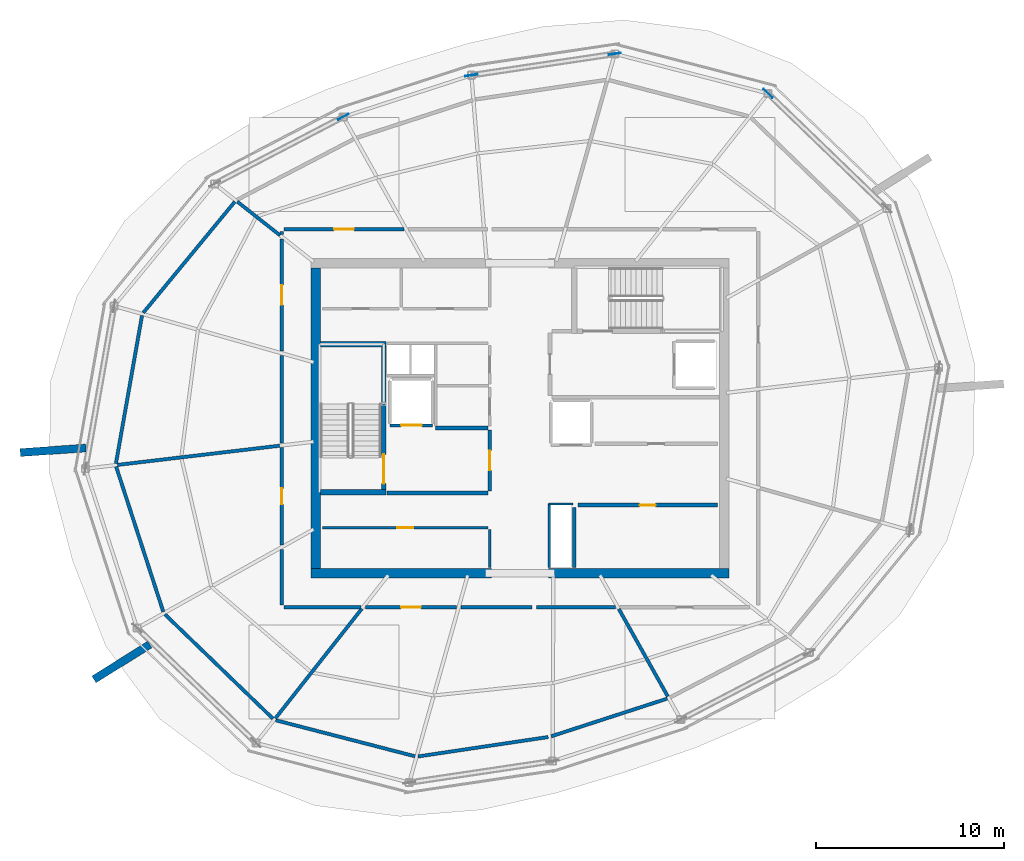
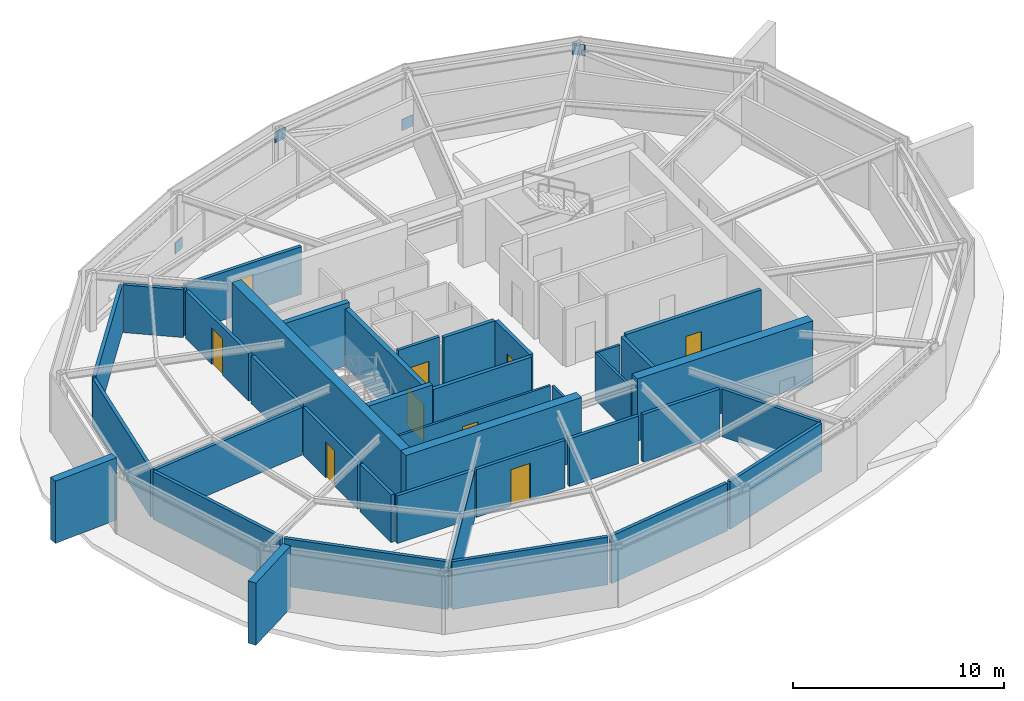
# One storey, part 7 of 10: 39 walls, 9 doors, 4 plates, 9 openings.
"""IFC4 building model written with IfcOpenShell, lengths in metres."""

from ifc_helpers import new_model, si_unit, direction, frame, frame_2d, origin, origin_2d, place, context, subcontext, project, spatial, rectangle, extrude, material, layer, layer_set, type_object, element, fill, save


model = new_model("IFC4")

# Units and contexts
model_context = context("Model", 3, precision=1e-05, world=origin(), true_north=direction((0.0, 1.0)))
body_context = subcontext(model_context, "Body", "Model", "MODEL_VIEW")
ifc_project = project(units=[si_unit("LENGTHUNIT", "METRE"), si_unit("AREAUNIT", "SQUARE_METRE"), si_unit("VOLUMEUNIT", "CUBIC_METRE"), si_unit("PLANEANGLEUNIT", "RADIAN"), si_unit("MASSUNIT", "GRAM", prefix="KILO")], contexts=[model_context])

# Site, building, storey
site_placement = place(None, origin())
site = spatial("IfcSite", under=ifc_project, at=site_placement, CompositionType="ELEMENT")
building_placement = place(site_placement, origin())
building = spatial("IfcBuilding", under=site, at=building_placement, Name="Kazma Halo Residences", CompositionType="ELEMENT")
storey_placement = place(building_placement, frame((0.0, 0.0, 366.800048828125)))
storey = spatial("IfcBuildingStorey", under=building, at=storey_placement, Name="L92", CompositionType="ELEMENT", Elevation=366.800048828125)

# Plates
ifc_material_1 = material(Name="Steel S355", Category="steel")
ifc_layer_1 = layer(ifc_material_1, 0.0400390625)
ifc_layer_set_1 = layer_set([ifc_layer_1], Name="Steel S355")
plate_type = type_object("IfcPlateType", Name="PLT-GUSSET-40", PredefinedType="SHEET", material=ifc_layer_set_1)
for number, where, z_axis, x_axis, name in (
    (1, (61.617431640625, 59.273681640625, 2.614990234375), (0.0, 0.0, 1.0), (-0.719342064482, 0.694656025863, 0.0), "L92 crown brace upper gusset 01"),
    (2, (53.46630859375, 61.38232421875, -0.044921875), (0.0, 0.0, 1.0), (-0.98903421845, -0.147686542161, 0.0), "L92 crown brace lower gusset 03"),
    (3, (45.8408203125, 60.24365234375, 2.614990234375), (0.0, 0.0, 1.0), (-0.98903421845, -0.147686542161, 0.0), "L92 crown brace upper gusset 03"),
    (4, (39.0234375, 58.02880859375, -0.044921875), (0.0, 0.0, 1.0), (-0.886949727325, -0.461865977529, 0.0), "L92 crown brace lower gusset 05"),
):
    element("IfcPlate", number, at=place(storey_placement, frame(where, z_axis=z_axis, x_axis=x_axis)), inside=storey, type_object=plate_type, Name=name, PredefinedType="SHEET", context=body_context, shape_type="SweptSolid", body=[
        extrude(rectangle(XDim=0.64990234375, YDim=0.0400390625, at=origin_2d()), origin(), (0.0, 0.0, 1.0), 0.64990234375),
    ])

# Walls
ifc_material_2 = material(Name="Pale Concrete C60/75", Category="concrete")
ifc_layer_2 = layer(ifc_material_2, 0.419921875)
ifc_layer_set_2 = layer_set([ifc_layer_2], Name="Pale Concrete C60/75")
wall_type_1 = type_object("IfcWallType", Name="WL-BLADE-420", PredefinedType="SOLIDWALL", material=ifc_layer_set_2)
for number, where, z_axis, x_axis, name in (
    (5, (25.333984375, 40.4150390625, 0.0), (0.0, 0.0, 1.0), (-0.997564163539, -0.069754853754, 0.0), "L92 pale concrete structural blade fin wall BW-02"),
    (6, (28.731201171875, 29.95947265625, 0.0), (0.0, 0.0, 1.0), (-0.848033572426, -0.529942506352, 0.0), "L92 pale concrete structural blade fin wall BW-03"),
):
    element("IfcWall", number, at=place(storey_placement, frame(where, z_axis=z_axis, x_axis=x_axis)), inside=storey, type_object=wall_type_1, Name=name, PredefinedType="SOLIDWALL", context=body_context, shape_type="SweptSolid", body=[
        extrude(rectangle(XDim=3.5, YDim=0.419921875, at=frame_2d((1.75, 0.0))), origin(), (0.0, 0.0, 1.0), 3.599853515625),
    ])
ifc_material_3 = material(Name="Concrete C60/75", Category="concrete")
ifc_layer_3 = layer(ifc_material_3, 0.5)
ifc_layer_set_3 = layer_set([ifc_layer_3], Name="Concrete C60/75")
wall_type_2 = type_object("IfcWallType", Name="WL-CORE-500", PredefinedType="SHEAR", material=ifc_layer_set_3)
wall_1_placement = place(storey_placement, frame((37.300048828125, 33.75, 0.0), z_axis=(0.0, 0.0, 1.0), x_axis=(1.0, 0.0, 0.0)))
element("IfcWall", 7, at=wall_1_placement, inside=storey, type_object=wall_type_2, Name="L92 central core shear wall SW", PredefinedType="SHEAR", context=body_context, shape_type="SweptSolid", body=[
    extrude(rectangle(XDim=9.599853515625, YDim=0.5, at=frame_2d((4.7998046875, 0.0))), origin(), (0.0, 0.0, 1.0), 3.599853515625),
])
wall_2_placement = place(storey_placement, frame((49.949951171875, 33.75, 0.0), z_axis=(0.0, 0.0, 1.0), x_axis=(1.0, 0.0, 0.0)))
element("IfcWall", 8, at=wall_2_placement, inside=storey, type_object=wall_type_2, Name="L92 central core shear wall SE", PredefinedType="SHEAR", context=body_context, shape_type="SweptSolid", body=[
    extrude(rectangle(XDim=9.60009765625, YDim=0.5, at=frame_2d((4.800048828125, 0.0))), origin(), (0.0, 0.0, 1.0), 3.599853515625),
])
wall_3_placement = place(storey_placement, frame((37.550048828125, 34.0, 0.0), z_axis=(0.0, 0.0, 1.0), x_axis=(0.0, 1.0, 0.0)))
element("IfcWall", 9, at=wall_3_placement, inside=storey, type_object=wall_type_2, Name="L92 central core shear wall W", PredefinedType="SHEAR", context=body_context, shape_type="SweptSolid", body=[
    extrude(rectangle(XDim=16.0, YDim=0.5, at=frame_2d((8.0, 0.0))), origin(), (0.0, 0.0, 1.0), 3.599853515625),
])
ifc_layer_4 = layer(ifc_material_3, 0.280029296875)
ifc_layer_set_4 = layer_set([ifc_layer_4], Name="Concrete C60/75")
wall_type_3 = type_object("IfcWallType", Name="WL-CORE-ST-280", PredefinedType="SHEAR", material=ifc_layer_set_4)
for number, where, z_axis, x_axis, name in (
    (10, (37.800048828125, 38.06005859375, 0.0), (0.0, 0.0, 1.0), (1.0, 0.0, 0.0), "L92 stairwell bearing wall ST01-S"),
    (11, (37.800048828125, 45.93994140625, 0.0), (0.0, 0.0, 1.0), (1.0, 0.0, 0.0), "L92 stairwell bearing wall ST01-N"),
):
    element("IfcWall", number, at=place(storey_placement, frame(where, z_axis=z_axis, x_axis=x_axis)), inside=storey, type_object=wall_type_3, Name=name, PredefinedType="SHEAR", context=body_context, shape_type="SweptSolid", body=[
        extrude(rectangle(XDim=3.5, YDim=0.280029296875, at=frame_2d((1.75, 0.0))), origin(), (0.0, 0.0, 1.0), 3.599853515625),
    ])
ifc_material_4 = material(Name="Acoustic Twin-Stud Gypsum")
ifc_layer_5 = layer(ifc_material_4, 0.179931640625)
ifc_layer_set_5 = layer_set([ifc_layer_5], Name="Acoustic Twin-Stud Gypsum")
wall_type_4 = type_object("IfcWallType", Name="WL-DEM-180", PredefinedType="PARTITIONING", material=ifc_layer_set_5)
wall_4_placement = place(storey_placement, frame((33.257568359375, 53.520263671875, 0.0), z_axis=(0.0, 0.0, 1.0), x_axis=(-0.636018833443, -0.771673534278, 0.0)))
element("IfcWall", 12, at=wall_4_placement, inside=storey, type_object=wall_type_4, Name="L92 crown plant perimeter wall 05", PredefinedType="PARTITIONING", context=body_context, shape_type="SweptSolid", body=[
    extrude(rectangle(XDim=7.661376953125, YDim=0.179931640625, at=frame_2d((3.83056640625, 0.0))), origin(), (0.0, 0.0, 1.0), 2.760009765625),
])
wall_5_placement = place(storey_placement, frame((28.320068359375, 47.467529296875, 0.0), z_axis=(0.0, 0.0, 1.0), x_axis=(-0.173668776466, -0.984804120666, 0.0)))
element("IfcWall", 13, at=wall_5_placement, inside=storey, type_object=wall_type_4, Name="L92 crown plant perimeter wall 06", PredefinedType="PARTITIONING", context=body_context, shape_type="SweptSolid", body=[
    extrude(rectangle(XDim=8.005859375, YDim=0.179931640625, at=frame_2d((4.0029296875, 0.0))), origin(), (0.0, 0.0, 1.0), 2.760009765625),
])
wall_6_placement = place(storey_placement, frame((26.940673828125, 39.428466796875, 0.0), z_axis=(0.0, 0.0, 1.0), x_axis=(0.309024234991, -0.951054163646, 0.0)))
element("IfcWall", 14, at=wall_6_placement, inside=storey, type_object=wall_type_4, Name="L92 crown plant perimeter wall 07", PredefinedType="PARTITIONING", context=body_context, shape_type="SweptSolid", body=[
    extrude(rectangle(XDim=8.1240234375, YDim=0.179931640625, at=frame_2d((4.06201171875, 0.0))), origin(), (0.0, 0.0, 1.0), 2.760009765625),
])
wall_7_placement = place(storey_placement, frame((29.533203125, 31.5703125, 0.0), z_axis=(0.0, 0.0, 1.0), x_axis=(0.719364153135, -0.694633151516, 0.0)))
element("IfcWall", 15, at=wall_7_placement, inside=storey, type_object=wall_type_4, Name="L92 crown plant perimeter wall 08", PredefinedType="PARTITIONING", context=body_context, shape_type="SweptSolid", body=[
    extrude(rectangle(XDim=8.006103515625, YDim=0.179931640625, at=frame_2d((4.0029296875, 0.0))), origin(), (0.0, 0.0, 1.0), 2.760009765625),
])
wall_8_placement = place(storey_placement, frame((35.42724609375, 25.93359375, 0.0), z_axis=(0.0, 0.0, 1.0), x_axis=(0.968117205342, -0.250497658115, 0.0)))
element("IfcWall", 16, at=wall_8_placement, inside=storey, type_object=wall_type_4, Name="L92 crown plant perimeter wall 09", PredefinedType="PARTITIONING", context=body_context, shape_type="SweptSolid", body=[
    extrude(rectangle(XDim=7.66162109375, YDim=0.179931640625, at=frame_2d((3.830810546875, 0.0))), origin(), (0.0, 0.0, 1.0), 2.760009765625),
])
wall_9_placement = place(storey_placement, frame((43.0009765625, 24.00634765625, 0.0), z_axis=(0.0, 0.0, 1.0), x_axis=(0.989034336252, 0.147685753256, 0.0)))
element("IfcWall", 17, at=wall_9_placement, inside=storey, type_object=wall_type_4, Name="L92 crown plant perimeter wall 10", PredefinedType="PARTITIONING", context=body_context, shape_type="SweptSolid", body=[
    extrude(rectangle(XDim=7.002685546875, YDim=0.179931640625, at=frame_2d((3.50146484375, 0.0))), origin(), (0.0, 0.0, 1.0), 2.760009765625),
])
wall_10_placement = place(storey_placement, frame((50.08203125, 25.076904296875, 0.0), z_axis=(0.0, 0.0, 1.0), x_axis=(0.95105283999, 0.309028308649, 0.0)))
element("IfcWall", 18, at=wall_10_placement, inside=storey, type_object=wall_type_4, Name="L92 crown plant perimeter wall 11", PredefinedType="PARTITIONING", context=body_context, shape_type="SweptSolid", body=[
    extrude(rectangle(XDim=6.498779296875, YDim=0.179931640625, at=frame_2d((3.24951171875, 0.0))), origin(), (0.0, 0.0, 1.0), 2.760009765625),
])

# Wall, opening, door
wall_11_placement = place(storey_placement, frame((42.251708984375, 52.050048828125, 0.0), z_axis=(0.0, 0.0, 1.0), x_axis=(-1.0, 0.0, 0.0)))
wall_11 = element("IfcWall", 19, at=wall_11_placement, inside=storey, type_object=wall_type_4, Name="L92 L92 District Cooling Chiller Plant Room corridor wall", PredefinedType="PARTITIONING", context=body_context, shape_type="SweptSolid", body=[
    extrude(rectangle(XDim=6.381591796875, YDim=0.179931640625, at=frame_2d((3.19091796875, 0.0))), origin(), (0.0, 0.0, 1.0), 2.760009765625),
])
opening_1_placement = place(wall_11_placement, frame((2.666015625, 0.0, 0.0)))
opening_1 = element("IfcOpeningElement", 20, at=opening_1_placement, cuts=wall_11, Name="Opening DF-1050", PredefinedType="OPENING", context=body_context, shape_type="SweptSolid", body=[
    extrude(rectangle(XDim=1.050048828125, YDim=2.10009765625, at=frame_2d((0.52490234375, 1.050048828125))), frame((0.0, 0.099853515625, 0.0), z_axis=(0.0, -1.0, 0.0), x_axis=(1.0, 0.0, 0.0)), (0.0, 0.0, 1.0), 0.199951171875),
])
ifc_material_5 = material(Name="Fire-Rated Steel Leaf", Category="steel")
door_type_1 = type_object("IfcDoorType", Name="DR-FD90-1050", OperationType="NOTDEFINED", PredefinedType="DOOR", material=ifc_material_5)
door_1_placement = place(opening_1_placement, origin())
door_1 = element("IfcDoor", 21, at=door_1_placement, inside=storey, type_object=door_type_1, Name="L92 L92 District Cooling Chiller Plant Room door", OperationType="SINGLE_SWING_RIGHT", OverallHeight=2.10009765625, OverallWidth=1.050048828125, PredefinedType="DOOR", context=body_context, shape_type="SweptSolid", body=[
    extrude(rectangle(XDim=1.050048828125, YDim=2.10009765625, at=frame_2d((0.52490234375, 1.050048828125))), frame((0.0, 0.02490234375, 0.0), z_axis=(0.0, -1.0, 0.0), x_axis=(1.0, 0.0, 0.0)), (0.0, 0.0, 1.0), 0.050048828125),
])
fill(opening_1, door_1)

# Walls
wall_12_placement = place(storey_placement, frame((35.75, 51.929931640625, 0.0), z_axis=(0.0, 0.0, 1.0), x_axis=(0.0, -1.0, 0.0)))
element("IfcWall", 22, at=wall_12_placement, inside=storey, type_object=wall_type_4, Name="L92 L92 District Cooling Chiller Plant Room corridor wall", PredefinedType="PARTITIONING", context=body_context, shape_type="SweptSolid", body=[
    extrude(rectangle(XDim=0.15283203125, YDim=0.179931640625, at=frame_2d((0.076416015625, 0.0))), origin(), (0.0, 0.0, 1.0), 2.760009765625),
])
wall_13_placement = place(storey_placement, frame((35.66357421875, 51.72509765625, 0.0), z_axis=(0.0, 0.0, 1.0), x_axis=(-0.78528570066, 0.619133562601, 0.0)))
element("IfcWall", 23, at=wall_13_placement, inside=storey, type_object=wall_type_4, Name="L92 radial partition wall 05", PredefinedType="PARTITIONING", context=body_context, shape_type="SweptSolid", body=[
    extrude(rectangle(XDim=2.899169921875, YDim=0.179931640625, at=frame_2d((1.44970703125, 0.0))), origin(), (0.0, 0.0, 1.0), 2.760009765625),
])

# Wall, opening, door
wall_14_placement = place(storey_placement, frame((35.75, 51.537109375, 0.0), z_axis=(0.0, 0.0, 1.0), x_axis=(0.0, -1.0, 0.0)))
wall_14 = element("IfcWall", 24, at=wall_14_placement, inside=storey, type_object=wall_type_4, Name="L92 L92 Primary AHU Mechanical Plant Room corridor wall", PredefinedType="PARTITIONING", context=body_context, shape_type="SweptSolid", body=[
    extrude(rectangle(XDim=5.962158203125, YDim=0.179931640625, at=frame_2d((2.98095703125, 0.0))), origin(), (0.0, 0.0, 1.0), 2.760009765625),
])
opening_2_placement = place(wall_14_placement, frame((2.4560546875, 0.0, 0.0)))
opening_2 = element("IfcOpeningElement", 25, at=opening_2_placement, cuts=wall_14, Name="Opening DF-1050", PredefinedType="OPENING", context=body_context, shape_type="SweptSolid", body=[
    extrude(rectangle(XDim=1.050048828125, YDim=2.10009765625, at=frame_2d((0.52490234375, 1.050048828125))), frame((0.0, 0.099853515625, 0.0), z_axis=(0.0, -1.0, 0.0), x_axis=(1.0, 0.0, 0.0)), (0.0, 0.0, 1.0), 0.199951171875),
])
door_2_placement = place(opening_2_placement, origin())
door_2 = element("IfcDoor", 26, at=door_2_placement, inside=storey, type_object=door_type_1, Name="L92 L92 Primary AHU Mechanical Plant Room door", OperationType="SINGLE_SWING_LEFT", OverallHeight=2.10009765625, OverallWidth=1.050048828125, PredefinedType="DOOR", context=body_context, shape_type="SweptSolid", body=[
    extrude(rectangle(XDim=1.050048828125, YDim=2.10009765625, at=frame_2d((0.52490234375, 1.050048828125))), frame((0.0, 0.02490234375, 0.0), z_axis=(0.0, -1.0, 0.0), x_axis=(1.0, 0.0, 0.0)), (0.0, 0.0, 1.0), 0.050048828125),
])
fill(opening_2, door_2)

# Walls
wall_15_placement = place(storey_placement, frame((35.75, 45.3349609375, 0.0), z_axis=(0.0, 0.0, 1.0), x_axis=(0.0, -1.0, 0.0)))
element("IfcWall", 27, at=wall_15_placement, inside=storey, type_object=wall_type_4, Name="L92 L92 Primary AHU Mechanical Plant Room corridor wall", PredefinedType="PARTITIONING", context=body_context, shape_type="SweptSolid", body=[
    extrude(rectangle(XDim=4.664794921875, YDim=0.179931640625, at=frame_2d((2.33251953125, 0.0))), origin(), (0.0, 0.0, 1.0), 2.760009765625),
])
wall_16_placement = place(storey_placement, frame((35.640869140625, 40.537109375, 0.0), z_axis=(0.0, 0.0, 1.0), x_axis=(-0.993070751419, -0.117518010011, 0.0)))
element("IfcWall", 28, at=wall_16_placement, inside=storey, type_object=wall_type_4, Name="L92 radial partition wall 07", PredefinedType="PARTITIONING", context=body_context, shape_type="SweptSolid", body=[
    extrude(rectangle(XDim=8.68603515625, YDim=0.179931640625, at=frame_2d((4.343017578125, 0.0))), origin(), (0.0, 0.0, 1.0), 2.760009765625),
])

# Wall, opening, door
wall_17_placement = place(storey_placement, frame((35.75, 40.43017578125, 0.0), z_axis=(0.0, 0.0, 1.0), x_axis=(0.0, -1.0, 0.0)))
wall_17 = element("IfcWall", 29, at=wall_17_placement, inside=storey, type_object=wall_type_4, Name="L92 L92 Fire Reserve Water Tank Room corridor wall", PredefinedType="PARTITIONING", context=body_context, shape_type="SweptSolid", body=[
    extrude(rectangle(XDim=5.17041015625, YDim=0.179931640625, at=frame_2d((2.585205078125, 0.0))), origin(), (0.0, 0.0, 1.0), 2.760009765625),
])
opening_3_placement = place(wall_17_placement, frame((2.16015625, 0.0, 0.0)))
opening_3 = element("IfcOpeningElement", 30, at=opening_3_placement, cuts=wall_17, Name="Opening DS-850", PredefinedType="OPENING", context=body_context, shape_type="SweptSolid", body=[
    extrude(rectangle(XDim=0.85009765625, YDim=2.06005859375, at=frame_2d((0.425048828125, 1.030029296875))), frame((0.0, 0.099853515625, 0.0), z_axis=(0.0, -1.0, 0.0), x_axis=(1.0, 0.0, 0.0)), (0.0, 0.0, 1.0), 0.199951171875),
])
ifc_material_6 = material(Name="Painted Steel Access Leaf", Category="steel")
door_type_2 = type_object("IfcDoorType", Name="DR-SVC-850", OperationType="NOTDEFINED", PredefinedType="DOOR", material=ifc_material_6)
door_3_placement = place(opening_3_placement, origin())
door_3 = element("IfcDoor", 31, at=door_3_placement, inside=storey, type_object=door_type_2, Name="L92 L92 Fire Reserve Water Tank Room door", OperationType="SINGLE_SWING_RIGHT", OverallHeight=2.06005859375, OverallWidth=0.85009765625, PredefinedType="DOOR", context=body_context, shape_type="SweptSolid", body=[
    extrude(rectangle(XDim=0.85009765625, YDim=2.06005859375, at=frame_2d((0.425048828125, 1.030029296875))), frame((0.0, 0.02490234375, 0.0), z_axis=(0.0, -1.0, 0.0), x_axis=(1.0, 0.0, 0.0)), (0.0, 0.0, 1.0), 0.050048828125),
])
fill(opening_3, door_3)

# Walls
wall_18_placement = place(storey_placement, frame((35.75, 35.019775390625, 0.0), z_axis=(0.0, 0.0, 1.0), x_axis=(0.0, -1.0, 0.0)))
element("IfcWall", 32, at=wall_18_placement, inside=storey, type_object=wall_type_4, Name="L92 L92 Fire Reserve Water Tank Room corridor wall", PredefinedType="PARTITIONING", context=body_context, shape_type="SweptSolid", body=[
    extrude(rectangle(XDim=2.94970703125, YDim=0.179931640625, at=frame_2d((1.474853515625, 0.0))), origin(), (0.0, 0.0, 1.0), 2.760009765625),
])
wall_19_placement = place(storey_placement, frame((35.8701171875, 31.949951171875, 0.0), z_axis=(0.0, 0.0, 1.0), x_axis=(1.0, 0.0, 0.0)))
element("IfcWall", 33, at=wall_19_placement, inside=storey, type_object=wall_type_4, Name="L92 L92 Fire Reserve Water Tank Room corridor wall", PredefinedType="PARTITIONING", context=body_context, shape_type="SweptSolid", body=[
    extrude(rectangle(XDim=4.087158203125, YDim=0.179931640625, at=frame_2d((2.04345703125, 0.0))), origin(), (0.0, 0.0, 1.0), 2.760009765625),
])
wall_20_placement = place(storey_placement, frame((40.009033203125, 31.863525390625, 0.0), z_axis=(0.0, 0.0, 1.0), x_axis=(-0.619089811342, -0.785320192974, 0.0)))
element("IfcWall", 34, at=wall_20_placement, inside=storey, type_object=wall_type_4, Name="L92 radial partition wall 09", PredefinedType="PARTITIONING", context=body_context, shape_type="SweptSolid", body=[
    extrude(rectangle(XDim=7.42578125, YDim=0.179931640625, at=frame_2d((3.712890625, 0.0))), origin(), (0.0, 0.0, 1.0), 2.760009765625),
])

# Wall, opening, door
wall_21_placement = place(storey_placement, frame((40.197265625, 31.949951171875, 0.0), z_axis=(0.0, 0.0, 1.0), x_axis=(1.0, 0.0, 0.0)))
wall_21 = element("IfcWall", 35, at=wall_21_placement, inside=storey, type_object=wall_type_4, Name="L92 L92 Heat Recovery Mechanical Plant Room corridor wall", PredefinedType="PARTITIONING", context=body_context, shape_type="SweptSolid", body=[
    extrude(rectangle(XDim=4.848388671875, YDim=0.179931640625, at=frame_2d((2.42431640625, 0.0))), origin(), (0.0, 0.0, 1.0), 2.760009765625),
])
opening_4_placement = place(wall_21_placement, frame((1.899169921875, 0.0, 0.0)))
opening_4 = element("IfcOpeningElement", 36, at=opening_4_placement, cuts=wall_21, Name="Opening DF-1050", PredefinedType="OPENING", context=body_context, shape_type="SweptSolid", body=[
    extrude(rectangle(XDim=1.050048828125, YDim=2.10009765625, at=frame_2d((0.52490234375, 1.050048828125))), frame((0.0, 0.099853515625, 0.0), z_axis=(0.0, -1.0, 0.0), x_axis=(1.0, 0.0, 0.0)), (0.0, 0.0, 1.0), 0.199951171875),
])
door_4_placement = place(opening_4_placement, origin())
door_4 = element("IfcDoor", 37, at=door_4_placement, inside=storey, type_object=door_type_1, Name="L92 L92 Heat Recovery Mechanical Plant Room door", OperationType="SINGLE_SWING_LEFT", OverallHeight=2.10009765625, OverallWidth=1.050048828125, PredefinedType="DOOR", context=body_context, shape_type="SweptSolid", body=[
    extrude(rectangle(XDim=1.050048828125, YDim=2.10009765625, at=frame_2d((0.52490234375, 1.050048828125))), frame((0.0, 0.02490234375, 0.0), z_axis=(0.0, -1.0, 0.0), x_axis=(1.0, 0.0, 0.0)), (0.0, 0.0, 1.0), 0.050048828125),
])
fill(opening_4, door_4)

# Walls
wall_22_placement = place(storey_placement, frame((45.28564453125, 31.949951171875, 0.0), z_axis=(0.0, 0.0, 1.0), x_axis=(1.0, 0.0, 0.0)))
element("IfcWall", 38, at=wall_22_placement, inside=storey, type_object=wall_type_4, Name="L92 L92 Heat Recovery Mechanical Plant Room corridor wall", PredefinedType="PARTITIONING", context=body_context, shape_type="SweptSolid", body=[
    extrude(rectangle(XDim=3.783935546875, YDim=0.179931640625, at=frame_2d((1.89208984375, 0.0))), origin(), (0.0, 0.0, 1.0), 2.760009765625),
])
wall_23_placement = place(storey_placement, frame((49.3095703125, 31.949951171875, 0.0), z_axis=(0.0, 0.0, 1.0), x_axis=(1.0, 0.0, 0.0)))
element("IfcWall", 39, at=wall_23_placement, inside=storey, type_object=wall_type_4, Name="L92 L92 Heat Recovery Mechanical Plant Room corridor wall", PredefinedType="PARTITIONING", context=body_context, shape_type="SweptSolid", body=[
    extrude(rectangle(XDim=4.19873046875, YDim=0.179931640625, at=frame_2d((2.099365234375, 0.0))), origin(), (0.0, 0.0, 1.0), 2.760009765625),
])
wall_24_placement = place(storey_placement, frame((53.681884765625, 31.85400390625, 0.0), z_axis=(0.0, 0.0, 1.0), x_axis=(0.488622869326, -0.872495095443, 0.0)))
element("IfcWall", 40, at=wall_24_placement, inside=storey, type_object=wall_type_4, Name="L92 radial partition wall 12", PredefinedType="PARTITIONING", context=body_context, shape_type="SweptSolid", body=[
    extrude(rectangle(XDim=5.337158203125, YDim=0.179931640625, at=frame_2d((2.66845703125, 0.0))), origin(), (0.0, 0.0, 1.0), 2.760009765625),
])

# Wall, opening, door
ifc_material_7 = material(Name="Fire-Rated Blockwork Masonry", Category="masonry")
ifc_layer_6 = layer(ifc_material_7, 0.199951171875)
ifc_layer_set_6 = layer_set([ifc_layer_6], Name="Fire-Rated Blockwork Masonry")
wall_type_5 = type_object("IfcWallType", Name="WL-FLB-200", PredefinedType="PARTITIONING", material=ifc_layer_set_6)
wall_25_placement = place(storey_placement, frame((51.52001953125, 37.3798828125, 0.0), z_axis=(0.0, 0.0, 1.0), x_axis=(1.0, 0.0, 0.0)))
wall_25 = element("IfcWall", 41, at=wall_25_placement, inside=storey, type_object=wall_type_5, Name="L92 core fan plant wall", PredefinedType="PARTITIONING", context=body_context, shape_type="SweptSolid", body=[
    extrude(rectangle(XDim=7.39990234375, YDim=0.199951171875, at=frame_2d((3.699951171875, 0.0))), origin(), (0.0, 0.0, 1.0), 3.320068359375),
])
opening_5_placement = place(wall_25_placement, frame((3.27490234375, 0.0, 0.0)))
opening_5 = element("IfcOpeningElement", 42, at=opening_5_placement, cuts=wall_25, Name="Opening DS-850", PredefinedType="OPENING", context=body_context, shape_type="SweptSolid", body=[
    extrude(rectangle(XDim=0.85009765625, YDim=2.06005859375, at=frame_2d((0.425048828125, 1.030029296875))), frame((0.0, 0.10986328125, 0.0), z_axis=(0.0, -1.0, 0.0), x_axis=(1.0, 0.0, 0.0)), (0.0, 0.0, 1.0), 0.219970703125),
])
door_5_placement = place(opening_5_placement, origin())
door_5 = element("IfcDoor", 43, at=door_5_placement, inside=storey, type_object=door_type_2, Name="L92 core fan plant door", OperationType="SINGLE_SWING_LEFT", OverallHeight=2.06005859375, OverallWidth=0.85009765625, PredefinedType="DOOR", context=body_context, shape_type="SweptSolid", body=[
    extrude(rectangle(XDim=0.85009765625, YDim=2.06005859375, at=frame_2d((0.425048828125, 1.030029296875))), frame((0.0, 0.02490234375, 0.0), z_axis=(0.0, -1.0, 0.0), x_axis=(1.0, 0.0, 0.0)), (0.0, 0.0, 1.0), 0.050048828125),
])
fill(opening_5, door_5)

# Wall
wall_26_placement = place(storey_placement, frame((51.31005859375, 34.050048828125, 0.0), z_axis=(0.0, 0.0, 1.0), x_axis=(0.0, 1.0, 0.0)))
element("IfcWall", 44, at=wall_26_placement, inside=storey, type_object=wall_type_5, Name="L92 core fan plant west wall", PredefinedType="PARTITIONING", context=body_context, shape_type="SweptSolid", body=[
    extrude(rectangle(XDim=3.2099609375, YDim=0.199951171875, at=frame_2d((1.60498046875, 0.0))), origin(), (0.0, 0.0, 1.0), 3.320068359375),
])

# Wall, opening, door
wall_27_placement = place(storey_placement, frame((43.780029296875, 41.6201171875, 0.0), z_axis=(0.0, 0.0, 1.0), x_axis=(-1.0, 0.0, 0.0)))
wall_27 = element("IfcWall", 45, at=wall_27_placement, inside=storey, type_object=wall_type_5, Name="L92 lift shaft FL-01 front wall", PredefinedType="PARTITIONING", context=body_context, shape_type="SweptSolid", body=[
    extrude(rectangle(XDim=2.260009765625, YDim=0.159912109375, at=frame_2d((1.1298828125, 0.0))), origin(), (0.0, 0.0, 1.0), 3.320068359375),
])
opening_6_placement = place(wall_27_placement, frame((0.580078125, 0.0, 0.0)))
opening_6 = element("IfcOpeningElement", 46, at=opening_6_placement, cuts=wall_27, Name="Opening LD-FL-01", PredefinedType="OPENING", context=body_context, shape_type="SweptSolid", body=[
    extrude(rectangle(XDim=1.10009765625, YDim=2.10009765625, at=frame_2d((0.550048828125, 1.050048828125))), frame((0.0, 0.08984375, 0.0), z_axis=(0.0, -1.0, 0.0), x_axis=(1.0, 0.0, 0.0)), (0.0, 0.0, 1.0), 0.179931640625),
])
ifc_material_8 = material(Name="Stainless Steel Fire-Rated", Category="steel")
door_type_3 = type_object("IfcDoorType", Name="DR-LIFT-SLD-1100", OperationType="DOUBLE_DOOR_SLIDING", PredefinedType="DOOR", material=ifc_material_8)
door_6_placement = place(opening_6_placement, origin())
door_6 = element("IfcDoor", 47, at=door_6_placement, inside=storey, type_object=door_type_3, Name="L92 lift FL-01 sliding landing door", OperationType="DOUBLE_DOOR_SLIDING", OverallHeight=2.10009765625, OverallWidth=1.10009765625, PredefinedType="DOOR", context=body_context, shape_type="SweptSolid", body=[
    extrude(rectangle(XDim=1.10009765625, YDim=2.10009765625, at=frame_2d((0.550048828125, 1.050048828125))), frame((0.0, 0.02490234375, 0.0), z_axis=(0.0, -1.0, 0.0), x_axis=(1.0, 0.0, 0.0)), (0.0, 0.0, 1.0), 0.050048828125),
])
fill(opening_6, door_6)

# Walls
wall_28_placement = place(storey_placement, frame((41.35009765625, 38.02001953125, 0.0), z_axis=(0.0, 0.0, 1.0), x_axis=(1.0, 0.0, 0.0)))
element("IfcWall", 48, at=wall_28_placement, inside=storey, type_object=wall_type_5, Name="L92 west firefighting lobby south smoke wall", PredefinedType="PARTITIONING", context=body_context, shape_type="SweptSolid", body=[
    extrude(rectangle(XDim=5.369873046875, YDim=0.199951171875, at=frame_2d((2.68505859375, 0.0))), origin(), (0.0, 0.0, 1.0), 3.320068359375),
])
wall_29_placement = place(storey_placement, frame((43.919921875, 41.47998046875, 0.0), z_axis=(0.0, 0.0, 1.0), x_axis=(1.0, 0.0, 0.0)))
element("IfcWall", 49, at=wall_29_placement, inside=storey, type_object=wall_type_5, Name="L92 west firefighting lobby north smoke wall", PredefinedType="PARTITIONING", context=body_context, shape_type="SweptSolid", body=[
    extrude(rectangle(XDim=2.800048828125, YDim=0.199951171875, at=frame_2d((1.39990234375, 0.0))), origin(), (0.0, 0.0, 1.0), 3.320068359375),
])

# Wall, opening, door
wall_30_placement = place(storey_placement, frame((46.820068359375, 38.1201171875, 0.0), z_axis=(0.0, 0.0, 1.0), x_axis=(0.0, 1.0, 0.0)))
wall_30 = element("IfcWall", 50, at=wall_30_placement, inside=storey, type_object=wall_type_5, Name="L92 west firefighting lobby smoke wall", PredefinedType="PARTITIONING", context=body_context, shape_type="SweptSolid", body=[
    extrude(rectangle(XDim=3.259765625, YDim=0.199951171875, at=frame_2d((1.6298828125, 0.0))), origin(), (0.0, 0.0, 1.0), 3.320068359375),
])
opening_7_placement = place(wall_30_placement, frame((1.10498046875, 0.0, 0.0)))
opening_7 = element("IfcOpeningElement", 51, at=opening_7_placement, cuts=wall_30, Name="Opening D-FLW", PredefinedType="OPENING", context=body_context, shape_type="SweptSolid", body=[
    extrude(rectangle(XDim=1.050048828125, YDim=2.10009765625, at=frame_2d((0.52490234375, 1.050048828125))), frame((0.0, 0.10986328125, 0.0), z_axis=(0.0, -1.0, 0.0), x_axis=(1.0, 0.0, 0.0)), (0.0, 0.0, 1.0), 0.219970703125),
])
door_7_placement = place(opening_7_placement, origin())
door_7 = element("IfcDoor", 52, at=door_7_placement, inside=storey, type_object=door_type_1, Name="L92 west firefighting lobby smoke door", OperationType="SINGLE_SWING_LEFT", OverallHeight=2.10009765625, OverallWidth=1.050048828125, PredefinedType="DOOR", context=body_context, shape_type="SweptSolid", body=[
    extrude(rectangle(XDim=1.050048828125, YDim=2.10009765625, at=frame_2d((0.52490234375, 1.050048828125))), frame((0.0, 0.02490234375, 0.0), z_axis=(0.0, -1.0, 0.0), x_axis=(1.0, 0.0, 0.0)), (0.0, 0.0, 1.0), 0.050048828125),
])
fill(opening_7, door_7)

# Wall
ifc_material_9 = material(Name="Gypsum Plasterboard Partition")
ifc_layer_7 = layer(ifc_material_9, 0.125)
ifc_layer_set_7 = layer_set([ifc_layer_7], Name="Gypsum Plasterboard Partition")
wall_type_6 = type_object("IfcWallType", Name="WL-PART-125", PredefinedType="PARTITIONING", material=ifc_layer_set_7)
wall_31_placement = place(storey_placement, frame((46.820068359375, 34.050048828125, 0.0), z_axis=(0.0, 0.0, 1.0), x_axis=(0.0, 1.0, 0.0)))
element("IfcWall", 53, at=wall_31_placement, inside=storey, type_object=wall_type_6, Name="L92 reclaimed south east wall", PredefinedType="PARTITIONING", context=body_context, shape_type="SweptSolid", body=[
    extrude(rectangle(XDim=2.030029296875, YDim=0.125, at=frame_2d((1.01513671875, 0.0))), origin(), (0.0, 0.0, 1.0), 2.760009765625),
])

# Wall, opening, door
wall_32_placement = place(storey_placement, frame((37.919921875, 36.179931640625, 0.0), z_axis=(0.0, 0.0, 1.0), x_axis=(1.0, 0.0, 0.0)))
wall_32 = element("IfcWall", 54, at=wall_32_placement, inside=storey, type_object=wall_type_6, Name="L92 reclaimed south front wall", PredefinedType="PARTITIONING", context=body_context, shape_type="SweptSolid", body=[
    extrude(rectangle(XDim=8.800048828125, YDim=0.125, at=frame_2d((4.39990234375, 0.0))), origin(), (0.0, 0.0, 1.0), 2.760009765625),
])
opening_8_placement = place(wall_32_placement, frame((3.97509765625, 0.0, 0.0)))
opening_8 = element("IfcOpeningElement", 55, at=opening_8_placement, cuts=wall_32, Name="Opening DS-850", PredefinedType="OPENING", context=body_context, shape_type="SweptSolid", body=[
    extrude(rectangle(XDim=0.85009765625, YDim=2.06005859375, at=frame_2d((0.425048828125, 1.030029296875))), frame((0.0, 0.072509765625, 0.0), z_axis=(0.0, -1.0, 0.0), x_axis=(1.0, 0.0, 0.0)), (0.0, 0.0, 1.0), 0.14501953125),
])
door_8_placement = place(opening_8_placement, origin())
door_8 = element("IfcDoor", 56, at=door_8_placement, inside=storey, type_object=door_type_2, Name="L92 reclaimed south service door", OperationType="SINGLE_SWING_LEFT", OverallHeight=2.06005859375, OverallWidth=0.85009765625, PredefinedType="DOOR", context=body_context, shape_type="SweptSolid", body=[
    extrude(rectangle(XDim=0.85009765625, YDim=2.06005859375, at=frame_2d((0.425048828125, 1.030029296875))), frame((0.0, 0.02490234375, 0.0), z_axis=(0.0, -1.0, 0.0), x_axis=(1.0, 0.0, 0.0)), (0.0, 0.0, 1.0), 0.050048828125),
])
fill(opening_8, door_8)

# Walls
wall_33_placement = place(storey_placement, frame((49.97998046875, 34.06005859375, 0.0), z_axis=(0.0, 0.0, 1.0), x_axis=(0.0, 1.0, 0.0)))
element("IfcWall", 57, at=wall_33_placement, inside=storey, type_object=wall_type_6, Name="L92 standpipe riser wall", PredefinedType="PARTITIONING", context=body_context, shape_type="SweptSolid", body=[
    extrude(rectangle(XDim=3.39990234375, YDim=0.125, at=frame_2d((1.699951171875, 0.0))), origin(), (0.0, 0.0, 1.0), 2.760009765625),
])
wall_34_placement = place(storey_placement, frame((49.97998046875, 37.43994140625, 0.0), z_axis=(0.0, 0.0, 1.0), x_axis=(1.0, 0.0, 0.0)))
element("IfcWall", 58, at=wall_34_placement, inside=storey, type_object=wall_type_6, Name="L92 standpipe riser north wall", PredefinedType="PARTITIONING", context=body_context, shape_type="SweptSolid", body=[
    extrude(rectangle(XDim=1.260009765625, YDim=0.125, at=frame_2d((0.6298828125, 0.0))), origin(), (0.0, 0.0, 1.0), 2.760009765625),
])

# Wall, opening, door
ifc_material_10 = material(Name="Concrete C50/60", Category="concrete")
ifc_layer_8 = layer(ifc_material_10, 0.25)
ifc_layer_set_8 = layer_set([ifc_layer_8], Name="Concrete C50/60")
wall_type_7 = type_object("IfcWallType", Name="WL-SHF-250", PredefinedType="SOLIDWALL", material=ifc_layer_set_8)
wall_35_placement = place(storey_placement, frame((41.179931640625, 38.219970703125, 0.0), z_axis=(0.0, 0.0, 1.0), x_axis=(0.0, 1.0, 0.0)))
wall_35 = element("IfcWall", 59, at=wall_35_placement, inside=storey, type_object=wall_type_7, Name="L92 exit stair ST-01 enclosure wall", PredefinedType="SOLIDWALL", context=body_context, shape_type="SweptSolid", body=[
    extrude(rectangle(XDim=7.56005859375, YDim=0.25, at=frame_2d((3.780029296875, 0.0))), origin(), (0.0, 0.0, 1.0), 3.320068359375),
])
opening_9_placement = place(wall_35_placement, frame((0.300048828125, 0.0, 0.0)))
opening_9 = element("IfcOpeningElement", 60, at=opening_9_placement, cuts=wall_35, Name="Opening D-ST1", PredefinedType="OPENING", context=body_context, shape_type="SweptSolid", body=[
    extrude(rectangle(XDim=1.550048828125, YDim=2.14990234375, at=frame_2d((0.77490234375, 1.074951171875))), frame((0.0, 0.135009765625, 0.0), z_axis=(0.0, -1.0, 0.0), x_axis=(1.0, 0.0, 0.0)), (0.0, 0.0, 1.0), 0.27001953125),
])
ifc_material_11 = material(Name="Fire-Rated Double Steel Leaf", Category="steel")
door_type_4 = type_object("IfcDoorType", Name="DR-FD90-1550", OperationType="NOTDEFINED", PredefinedType="DOOR", material=ifc_material_11)
door_9_placement = place(opening_9_placement, origin())
door_9 = element("IfcDoor", 61, at=door_9_placement, inside=storey, type_object=door_type_4, Name="L92 exit stair ST-01 fire door", OperationType="DOUBLE_DOOR_SINGLE_SWING", OverallHeight=2.14990234375, OverallWidth=1.550048828125, PredefinedType="DOOR", context=body_context, shape_type="SweptSolid", body=[
    extrude(rectangle(XDim=1.550048828125, YDim=2.14990234375, at=frame_2d((0.77490234375, 1.074951171875))), frame((0.0, 0.02490234375, 0.0), z_axis=(0.0, -1.0, 0.0), x_axis=(1.0, 0.0, 0.0)), (0.0, 0.0, 1.0), 0.050048828125),
])
fill(opening_9, door_9)

save(model, "model.ifc")
